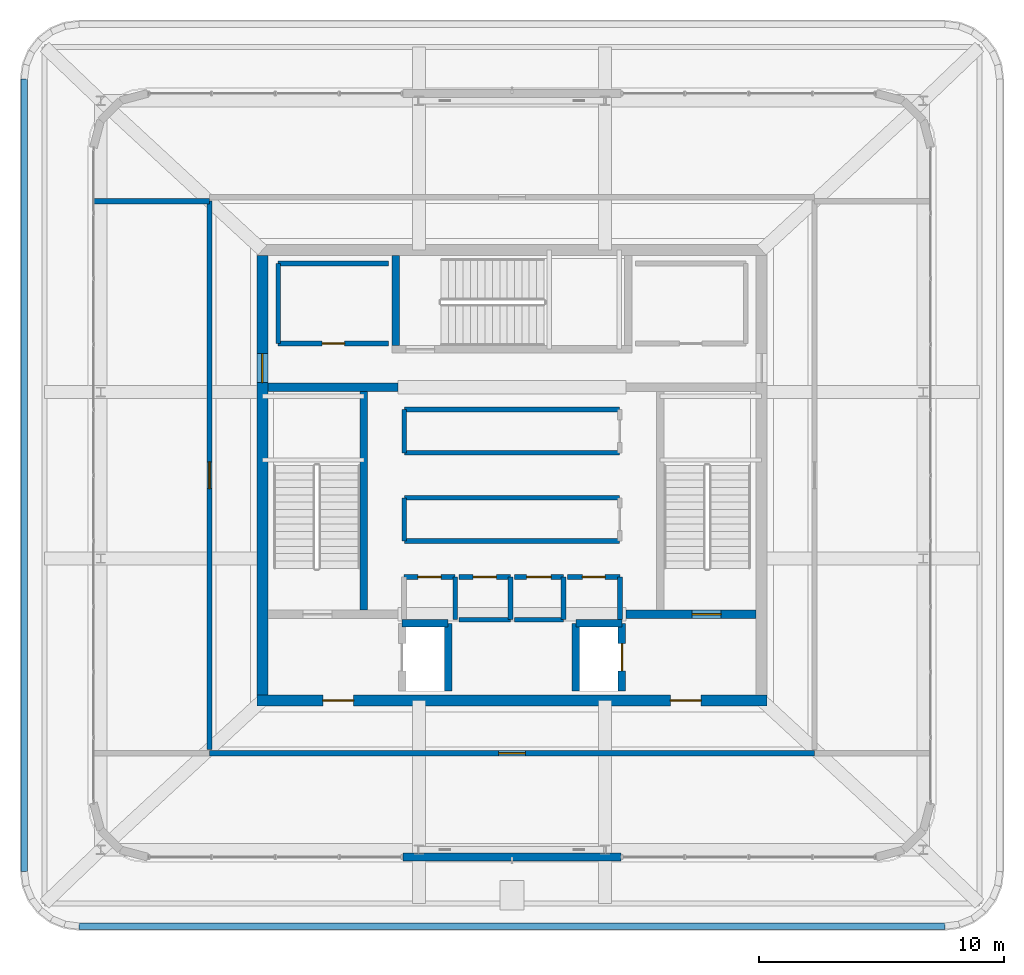
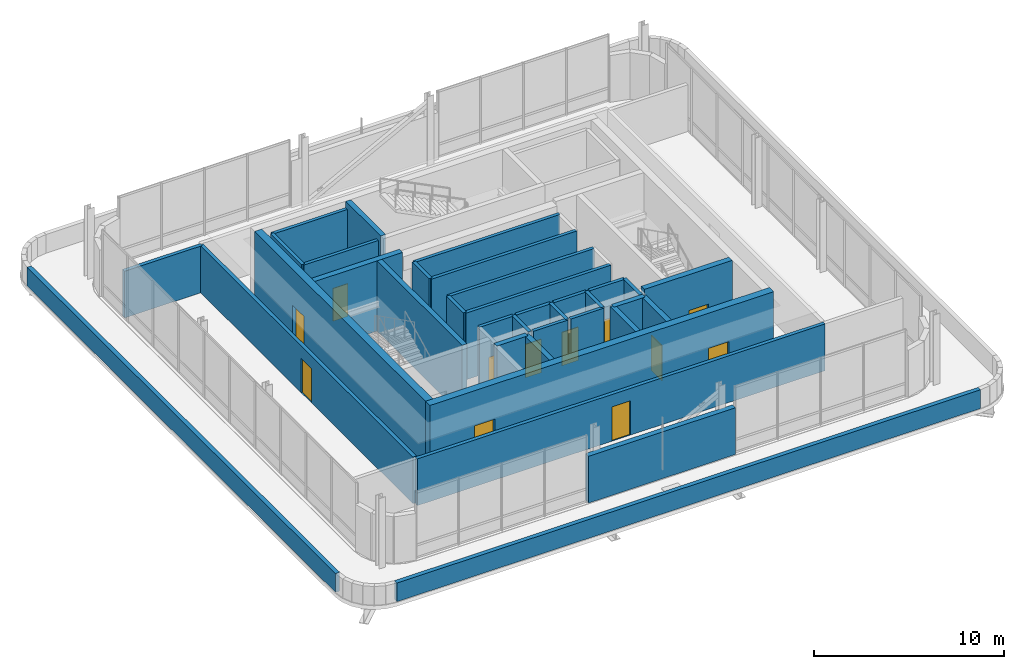
# One storey, part 23 of 28: 36 walls, 12 doors, 12 openings.
"""IFC4 building model written with IfcOpenShell, lengths in metres."""

from ifc_helpers import new_model, si_unit, direction, frame, frame_2d, origin, place, context, subcontext, project, spatial, rectangle, extrude, material, layer, layer_set, type_object, element, fill, save


model = new_model("IFC4")

# Units and contexts
model_context = context("Model", 3, precision=1e-05, world=origin(), true_north=direction((0.0, 1.0)))
body_context = subcontext(model_context, "Body", "Model", "MODEL_VIEW")
ifc_project = project(units=[si_unit("LENGTHUNIT", "METRE"), si_unit("AREAUNIT", "SQUARE_METRE"), si_unit("VOLUMEUNIT", "CUBIC_METRE"), si_unit("PLANEANGLEUNIT", "RADIAN"), si_unit("MASSUNIT", "GRAM", prefix="KILO")], contexts=[model_context])

# Site, building, storey
site_placement = place(None, origin())
site = spatial("IfcSite", under=ifc_project, at=site_placement, CompositionType="ELEMENT")
building_placement = place(site_placement, origin())
building = spatial("IfcBuilding", under=site, at=building_placement, Name="Punatoya Terracotta Tower", CompositionType="ELEMENT")
storey_placement = place(building_placement, frame((0.0, 0.0, 352.800048828125)))
storey = spatial("IfcBuildingStorey", under=building, at=storey_placement, Name="L83", CompositionType="ELEMENT", Elevation=352.800048828125)

# Wall, openings, doors
ifc_material_1 = material(Name="Concrete C50/60", Category="concrete")
ifc_layer_1 = layer(ifc_material_1, 0.449951171875)
ifc_layer_set_1 = layer_set([ifc_layer_1], Name="Concrete C50/60")
wall_type_1 = type_object("IfcWallType", Name="WL-COR-450", PredefinedType="SHEAR", material=ifc_layer_set_1)
wall_1_placement = place(storey_placement, frame((10.425048828125, -9.199951171875, 0.0), z_axis=(0.0, 0.0, 1.0), x_axis=(-1.0, 0.0, 0.0)))
wall_1 = element("IfcWall", 1, at=wall_1_placement, inside=storey, type_object=wall_type_1, Name="L83 Core Shear Wall S", PredefinedType="SHEAR", context=body_context, shape_type="SweptSolid", body=[
    extrude(rectangle(XDim=20.85009765625, YDim=0.449951171875, at=frame_2d((10.425048828125, 0.0))), origin(), (0.0, 0.0, 1.0), 4.5),
])
opening_1_placement = place(wall_1_placement, frame((2.699951171875, 0.0, 0.0)))
opening_1 = element("IfcOpeningElement", 2, at=opening_1_placement, cuts=wall_1, Name="Opening FD-L1", PredefinedType="OPENING", context=body_context, shape_type="SweptSolid", body=[
    extrude(rectangle(XDim=1.25, YDim=2.25, at=frame_2d((0.625, 1.125))), frame((0.0, 0.23486328125, 0.0), z_axis=(0.0, -1.0, 0.0), x_axis=(1.0, 0.0, 0.0)), (0.0, 0.0, 1.0), 0.469970703125),
])
opening_2_placement = place(wall_1_placement, frame((16.89990234375, 0.0, 0.0)))
opening_2 = element("IfcOpeningElement", 3, at=opening_2_placement, cuts=wall_1, Name="Opening FD-L1", PredefinedType="OPENING", context=body_context, shape_type="SweptSolid", body=[
    extrude(rectangle(XDim=1.25, YDim=2.25, at=frame_2d((0.625, 1.125))), frame((0.0, 0.23486328125, 0.0), z_axis=(0.0, -1.0, 0.0), x_axis=(1.0, 0.0, 0.0)), (0.0, 0.0, 1.0), 0.469970703125),
])
ifc_material_2 = material(Name="Galvanised Steel Smokeproof Fire Door", Category="steel")
door_type_1 = type_object("IfcDoorType", Name="DR-FFL-1250", OperationType="NOTDEFINED", PredefinedType="DOOR", material=ifc_material_2)
door_1_placement = place(opening_1_placement, origin())
door_1 = element("IfcDoor", 4, at=door_1_placement, inside=storey, type_object=door_type_1, Name="L83 East Firefighting Lobby Corridor Fire Door", OperationType="SINGLE_SWING_LEFT", OverallHeight=2.25, OverallWidth=1.25, PredefinedType="DOOR", context=body_context, shape_type="SweptSolid", body=[
    extrude(rectangle(XDim=1.25, YDim=2.25, at=frame_2d((0.625, 1.125))), frame((0.0, 0.02490234375, 0.0), z_axis=(0.0, -1.0, 0.0), x_axis=(1.0, 0.0, 0.0)), (0.0, 0.0, 1.0), 0.050048828125),
])
fill(opening_1, door_1)
door_2_placement = place(opening_2_placement, origin())
door_2 = element("IfcDoor", 5, at=door_2_placement, inside=storey, type_object=door_type_1, Name="L83 West Firefighting Lobby Corridor Fire Door", OperationType="SINGLE_SWING_RIGHT", OverallHeight=2.25, OverallWidth=1.25, PredefinedType="DOOR", context=body_context, shape_type="SweptSolid", body=[
    extrude(rectangle(XDim=1.25, YDim=2.25, at=frame_2d((0.625, 1.125))), frame((0.0, 0.02490234375, 0.0), z_axis=(0.0, -1.0, 0.0), x_axis=(1.0, 0.0, 0.0)), (0.0, 0.0, 1.0), 0.050048828125),
])
fill(opening_2, door_2)

# Wall, opening, door
wall_2_placement = place(storey_placement, frame((-10.199951171875, -8.97509765625, 0.0), z_axis=(0.0, 0.0, 1.0), x_axis=(0.0, 1.0, 0.0)))
wall_2 = element("IfcWall", 6, at=wall_2_placement, inside=storey, type_object=wall_type_1, Name="L83 Core Shear Wall W", PredefinedType="SHEAR", context=body_context, shape_type="SweptSolid", body=[
    extrude(rectangle(XDim=17.9501953125, YDim=0.449951171875, at=frame_2d((8.97509765625, 0.0))), origin(), (0.0, 0.0, 1.0), 4.5),
])
opening_3_placement = place(wall_2_placement, frame((12.764892578125, 0.0, 0.0)))
opening_3 = element("IfcOpeningElement", 7, at=opening_3_placement, cuts=wall_2, Name="Opening SD-01", PredefinedType="OPENING", context=body_context, shape_type="SweptSolid", body=[
    extrude(rectangle(XDim=1.179931640625, YDim=2.199951171875, at=frame_2d((0.58984375, 1.10009765625))), frame((0.0, 0.23486328125, 0.0), z_axis=(0.0, -1.0, 0.0), x_axis=(1.0, 0.0, 0.0)), (0.0, 0.0, 1.0), 0.469970703125),
])
ifc_material_3 = material(Name="Galvanised Steel Pressurized Stair Fire Door", Category="steel")
door_type_2 = type_object("IfcDoorType", Name="DR-STR-1180", OperationType="NOTDEFINED", PredefinedType="DOOR", material=ifc_material_3)
door_3_placement = place(opening_3_placement, origin())
door_3 = element("IfcDoor", 8, at=door_3_placement, inside=storey, type_object=door_type_2, Name="L83 Central Lift Lobby West Fire Door", OperationType="SINGLE_SWING_LEFT", OverallHeight=2.199951171875, OverallWidth=1.179931640625, PredefinedType="DOOR", context=body_context, shape_type="SweptSolid", body=[
    extrude(rectangle(XDim=1.179931640625, YDim=2.199951171875, at=frame_2d((0.58984375, 1.10009765625))), frame((0.0, 0.02490234375, 0.0), z_axis=(0.0, -1.0, 0.0), x_axis=(1.0, 0.0, 0.0)), (0.0, 0.0, 1.0), 0.050048828125),
])
fill(opening_3, door_3)

# Wall
ifc_material_4 = material(Name="Precast concrete C40/50", Category="concrete")
ifc_layer_2 = layer(ifc_material_4, 0.320068359375)
ifc_layer_set_2 = layer_set([ifc_layer_2], Name="Precast concrete C40/50")
wall_type_2 = type_object("IfcWallType", Name="WL-EXT-320", PredefinedType="SOLIDWALL", material=ifc_layer_set_2)
wall_3_placement = place(storey_placement, frame((-4.449951171875, -15.60009765625, 0.0), z_axis=(0.0, 0.0, 1.0), x_axis=(1.0, 0.0, 0.0)))
element("IfcWall", 9, at=wall_3_placement, inside=storey, type_object=wall_type_2, Name="L83 Terracotta Braced Facade Wall S1", PredefinedType="SOLIDWALL", context=body_context, shape_type="SweptSolid", body=[
    extrude(rectangle(XDim=8.89990234375, YDim=0.320068359375, at=frame_2d((4.449951171875, 0.0))), origin(), (0.0, 0.0, 1.0), 2.993896484375),
])

# Wall, opening, door
ifc_material_5 = material(Name="Concrete C40/50", Category="concrete")
ifc_layer_3 = layer(ifc_material_5, 0.219970703125)
ifc_layer_set_3 = layer_set([ifc_layer_3], Name="Concrete C40/50")
wall_type_3 = type_object("IfcWallType", Name="WL-FIR-220", PredefinedType="SOLIDWALL", material=ifc_layer_set_3)
wall_4_placement = place(storey_placement, frame((-12.360107421875, -11.360107421875, 0.0), z_axis=(0.0, 0.0, 1.0), x_axis=(1.0, 0.0, 0.0)))
wall_4 = element("IfcWall", 10, at=wall_4_placement, inside=storey, type_object=wall_type_3, Name="L83 Crown South Heat-Rejection and Cooling-Tower Plant Partition 27", PredefinedType="SOLIDWALL", context=body_context, shape_type="SweptSolid", body=[
    extrude(rectangle(XDim=24.72021484375, YDim=0.219970703125, at=frame_2d((12.360107421875, 0.0))), origin(), (0.0, 0.0, 1.0), 2.993896484375),
])
opening_4_placement = place(wall_4_placement, frame((11.81005859375, 0.0, 0.0)))
opening_4 = element("IfcOpeningElement", 11, at=opening_4_placement, cuts=wall_4, Name="Opening FD-P1", PredefinedType="OPENING", context=body_context, shape_type="SweptSolid", body=[
    extrude(rectangle(XDim=1.10009765625, YDim=2.199951171875, at=frame_2d((0.550048828125, 1.10009765625))), frame((0.0, 0.119873046875, 0.0), z_axis=(0.0, -1.0, 0.0), x_axis=(1.0, 0.0, 0.0)), (0.0, 0.0, 1.0), 0.239990234375),
])
ifc_material_6 = material(Name="Galvanised Steel Plant Fire Door", Category="steel")
door_type_3 = type_object("IfcDoorType", Name="DR-PLT-1100", OperationType="NOTDEFINED", PredefinedType="DOOR", material=ifc_material_6)
door_4_placement = place(opening_4_placement, origin())
door_4 = element("IfcDoor", 12, at=door_4_placement, inside=storey, type_object=door_type_3, Name="L83 Crown South Heat-Rejection and Cooling-Tower Plant Fire Door", OperationType="SINGLE_SWING_RIGHT", OverallHeight=2.199951171875, OverallWidth=1.10009765625, PredefinedType="DOOR", context=body_context, shape_type="SweptSolid", body=[
    extrude(rectangle(XDim=1.10009765625, YDim=2.199951171875, at=frame_2d((0.550048828125, 1.10009765625))), frame((0.0, 0.02490234375, 0.0), z_axis=(0.0, -1.0, 0.0), x_axis=(1.0, 0.0, 0.0)), (0.0, 0.0, 1.0), 0.050048828125),
])
fill(opening_4, door_4)

# Wall
wall_5_placement = place(storey_placement, frame((-17.080078125, 11.199951171875, 0.0), z_axis=(0.0, 0.0, 1.0), x_axis=(1.0, 0.0, 0.0)))
element("IfcWall", 13, at=wall_5_placement, inside=storey, type_object=wall_type_3, Name="L83 Crown West Smoke-Extract and Fan Plant Room Partition 29", PredefinedType="SOLIDWALL", context=body_context, shape_type="SweptSolid", body=[
    extrude(rectangle(XDim=4.719970703125, YDim=0.219970703125, at=frame_2d((2.35986328125, 0.0))), origin(), (0.0, 0.0, 1.0), 2.993896484375),
])

# Wall, opening, door
wall_6_placement = place(storey_placement, frame((-12.360107421875, 11.199951171875, 0.0), z_axis=(0.0, 0.0, 1.0), x_axis=(0.0, -1.0, 0.0)))
wall_6 = element("IfcWall", 14, at=wall_6_placement, inside=storey, type_object=wall_type_3, Name="L83 Crown West Smoke-Extract and Fan Plant Room Partition 30", PredefinedType="SOLIDWALL", context=body_context, shape_type="SweptSolid", body=[
    extrude(rectangle(XDim=22.39990234375, YDim=0.219970703125, at=frame_2d((11.199951171875, 0.0))), origin(), (0.0, 0.0, 1.0), 2.993896484375),
])
opening_5_placement = place(wall_6_placement, frame((10.64990234375, 0.0, 0.0)))
opening_5 = element("IfcOpeningElement", 15, at=opening_5_placement, cuts=wall_6, Name="Opening FD-P1", PredefinedType="OPENING", context=body_context, shape_type="SweptSolid", body=[
    extrude(rectangle(XDim=1.10009765625, YDim=2.199951171875, at=frame_2d((0.550048828125, 1.10009765625))), frame((0.0, 0.119873046875, 0.0), z_axis=(0.0, -1.0, 0.0), x_axis=(1.0, 0.0, 0.0)), (0.0, 0.0, 1.0), 0.239990234375),
])
door_5_placement = place(opening_5_placement, origin())
door_5 = element("IfcDoor", 16, at=door_5_placement, inside=storey, type_object=door_type_3, Name="L83 Crown West Smoke-Extract and Fan Plant Room Fire Door", OperationType="SINGLE_SWING_LEFT", OverallHeight=2.199951171875, OverallWidth=1.10009765625, PredefinedType="DOOR", context=body_context, shape_type="SweptSolid", body=[
    extrude(rectangle(XDim=1.10009765625, YDim=2.199951171875, at=frame_2d((0.550048828125, 1.10009765625))), frame((0.0, 0.02490234375, 0.0), z_axis=(0.0, -1.0, 0.0), x_axis=(1.0, 0.0, 0.0)), (0.0, 0.0, 1.0), 0.050048828125),
])
fill(opening_5, door_5)

# Wall
ifc_layer_4 = layer(ifc_material_5, 0.199951171875)
ifc_layer_set_4 = layer_set([ifc_layer_4], Name="Concrete C40/50")
wall_type_4 = type_object("IfcWallType", Name="WL-INT-200", PredefinedType="SOLIDWALL", material=ifc_layer_set_4)
wall_7_placement = place(storey_placement, frame((-2.320068359375, -5.89990234375, 0.0), z_axis=(0.0, 0.0, 1.0), x_axis=(0.0, 1.0, 0.0)))
element("IfcWall", 17, at=wall_7_placement, inside=storey, type_object=wall_type_4, Name="L83 Staff Male Washroom Partition 01", PredefinedType="SOLIDWALL", context=body_context, shape_type="SweptSolid", body=[
    extrude(rectangle(XDim=1.739990234375, YDim=0.199951171875, at=frame_2d((0.8701171875, 0.0))), origin(), (0.0, 0.0, 1.0), 4.280029296875),
])

# Wall, opening, door
wall_8_placement = place(storey_placement, frame((-2.320068359375, -4.159912109375, 0.0), z_axis=(0.0, 0.0, 1.0), x_axis=(-1.0, 0.0, 0.0)))
wall_8 = element("IfcWall", 18, at=wall_8_placement, inside=storey, type_object=wall_type_4, Name="L83 Staff Male Washroom Partition 02", PredefinedType="SOLIDWALL", context=body_context, shape_type="SweptSolid", body=[
    extrude(rectangle(XDim=2.099853515625, YDim=0.199951171875, at=frame_2d((1.0498046875, 0.0))), origin(), (0.0, 0.0, 1.0), 4.280029296875),
])
opening_6_placement = place(wall_8_placement, frame((0.574951171875, 0.0, 0.0)))
opening_6 = element("IfcOpeningElement", 19, at=opening_6_placement, cuts=wall_8, Name="Opening WD-01", PredefinedType="OPENING", context=body_context, shape_type="SweptSolid", body=[
    extrude(rectangle(XDim=0.949951171875, YDim=2.14990234375, at=frame_2d((0.47509765625, 1.074951171875))), frame((0.0, 0.10986328125, 0.0), z_axis=(0.0, -1.0, 0.0), x_axis=(1.0, 0.0, 0.0)), (0.0, 0.0, 1.0), 0.219970703125),
])
ifc_material_7 = material(Name="Moisture-Resistant Laminate Timber Leaf", Category="wood")
door_type_4 = type_object("IfcDoorType", Name="DR-WC-950", OperationType="NOTDEFINED", PredefinedType="DOOR", material=ifc_material_7)
door_6_placement = place(opening_6_placement, origin())
door_6 = element("IfcDoor", 20, at=door_6_placement, inside=storey, type_object=door_type_4, Name="L83 Staff Male Washroom Door", OperationType="SINGLE_SWING_RIGHT", OverallHeight=2.14990234375, OverallWidth=0.949951171875, PredefinedType="DOOR", context=body_context, shape_type="SweptSolid", body=[
    extrude(rectangle(XDim=0.949951171875, YDim=2.14990234375, at=frame_2d((0.47509765625, 1.074951171875))), frame((0.0, 0.02490234375, 0.0), z_axis=(0.0, -1.0, 0.0), x_axis=(1.0, 0.0, 0.0)), (0.0, 0.0, 1.0), 0.050048828125),
])
fill(opening_6, door_6)

# Wall
wall_9_placement = place(storey_placement, frame((-0.06005859375, -5.89990234375, 0.0), z_axis=(0.0, 0.0, 1.0), x_axis=(0.0, 1.0, 0.0)))
element("IfcWall", 21, at=wall_9_placement, inside=storey, type_object=wall_type_4, Name="L83 Staff Female Washroom Partition 04", PredefinedType="SOLIDWALL", context=body_context, shape_type="SweptSolid", body=[
    extrude(rectangle(XDim=1.739990234375, YDim=0.199951171875, at=frame_2d((0.8701171875, 0.0))), origin(), (0.0, 0.0, 1.0), 4.280029296875),
])

# Wall, opening, door
wall_10_placement = place(storey_placement, frame((-0.06005859375, -4.159912109375, 0.0), z_axis=(0.0, 0.0, 1.0), x_axis=(-1.0, 0.0, 0.0)))
wall_10 = element("IfcWall", 22, at=wall_10_placement, inside=storey, type_object=wall_type_4, Name="L83 Staff Female Washroom Partition 05", PredefinedType="SOLIDWALL", context=body_context, shape_type="SweptSolid", body=[
    extrude(rectangle(XDim=2.099853515625, YDim=0.199951171875, at=frame_2d((1.0498046875, 0.0))), origin(), (0.0, 0.0, 1.0), 4.280029296875),
])
opening_7_placement = place(wall_10_placement, frame((0.574951171875, 0.0, 0.0)))
opening_7 = element("IfcOpeningElement", 23, at=opening_7_placement, cuts=wall_10, Name="Opening WD-01", PredefinedType="OPENING", context=body_context, shape_type="SweptSolid", body=[
    extrude(rectangle(XDim=0.949951171875, YDim=2.14990234375, at=frame_2d((0.47509765625, 1.074951171875))), frame((0.0, 0.10986328125, 0.0), z_axis=(0.0, -1.0, 0.0), x_axis=(1.0, 0.0, 0.0)), (0.0, 0.0, 1.0), 0.219970703125),
])
door_7_placement = place(opening_7_placement, origin())
door_7 = element("IfcDoor", 24, at=door_7_placement, inside=storey, type_object=door_type_4, Name="L83 Staff Female Washroom Door", OperationType="SINGLE_SWING_LEFT", OverallHeight=2.14990234375, OverallWidth=0.949951171875, PredefinedType="DOOR", context=body_context, shape_type="SweptSolid", body=[
    extrude(rectangle(XDim=0.949951171875, YDim=2.14990234375, at=frame_2d((0.47509765625, 1.074951171875))), frame((0.0, 0.02490234375, 0.0), z_axis=(0.0, -1.0, 0.0), x_axis=(1.0, 0.0, 0.0)), (0.0, 0.0, 1.0), 0.050048828125),
])
fill(opening_7, door_7)

# Walls
wall_11_placement = place(storey_placement, frame((-2.159912109375, -5.89990234375, 0.0), z_axis=(0.0, 0.0, 1.0), x_axis=(1.0, 0.0, 0.0)))
element("IfcWall", 25, at=wall_11_placement, inside=storey, type_object=wall_type_4, Name="L83 Staff Female Washroom Partition 06", PredefinedType="SOLIDWALL", context=body_context, shape_type="SweptSolid", body=[
    extrude(rectangle(XDim=2.099853515625, YDim=0.199951171875, at=frame_2d((1.0498046875, 0.0))), origin(), (0.0, 0.0, 1.0), 4.280029296875),
])
wall_12_placement = place(storey_placement, frame((2.10009765625, -5.89990234375, 0.0), z_axis=(0.0, 0.0, 1.0), x_axis=(0.0, 1.0, 0.0)))
element("IfcWall", 26, at=wall_12_placement, inside=storey, type_object=wall_type_4, Name="L83 Accessible Universal Washroom Partition 07", PredefinedType="SOLIDWALL", context=body_context, shape_type="SweptSolid", body=[
    extrude(rectangle(XDim=1.739990234375, YDim=0.199951171875, at=frame_2d((0.8701171875, 0.0))), origin(), (0.0, 0.0, 1.0), 4.280029296875),
])

# Wall, opening, door
wall_13_placement = place(storey_placement, frame((2.10009765625, -4.159912109375, 0.0), z_axis=(0.0, 0.0, 1.0), x_axis=(-1.0, 0.0, 0.0)))
wall_13 = element("IfcWall", 27, at=wall_13_placement, inside=storey, type_object=wall_type_4, Name="L83 Accessible Universal Washroom Partition 08", PredefinedType="SOLIDWALL", context=body_context, shape_type="SweptSolid", body=[
    extrude(rectangle(XDim=2.0, YDim=0.199951171875, at=frame_2d((1.0, 0.0))), origin(), (0.0, 0.0, 1.0), 4.280029296875),
])
opening_8_placement = place(wall_13_placement, frame((0.5, 0.0, 0.0)))
opening_8 = element("IfcOpeningElement", 28, at=opening_8_placement, cuts=wall_13, Name="Opening AWD-1", PredefinedType="OPENING", context=body_context, shape_type="SweptSolid", body=[
    extrude(rectangle(XDim=1.0, YDim=2.14990234375, at=frame_2d((0.5, 1.074951171875))), frame((0.0, 0.10986328125, 0.0), z_axis=(0.0, -1.0, 0.0), x_axis=(1.0, 0.0, 0.0)), (0.0, 0.0, 1.0), 0.219970703125),
])
ifc_material_8 = material(Name="Bengal Teak Accessible WC Leaf")
door_type_5 = type_object("IfcDoorType", Name="DR-ACC-1000", OperationType="NOTDEFINED", PredefinedType="DOOR", material=ifc_material_8)
door_8_placement = place(opening_8_placement, origin())
door_8 = element("IfcDoor", 29, at=door_8_placement, inside=storey, type_object=door_type_5, Name="L83 Accessible Universal Washroom Door", OperationType="SINGLE_SWING_RIGHT", OverallHeight=2.14990234375, OverallWidth=1.0, PredefinedType="DOOR", context=body_context, shape_type="SweptSolid", body=[
    extrude(rectangle(XDim=1.0, YDim=2.14990234375, at=frame_2d((0.5, 1.074951171875))), frame((0.0, 0.02490234375, 0.0), z_axis=(0.0, -1.0, 0.0), x_axis=(1.0, 0.0, 0.0)), (0.0, 0.0, 1.0), 0.050048828125),
])
fill(opening_8, door_8)

# Walls
wall_14_placement = place(storey_placement, frame((0.10009765625, -5.89990234375, 0.0), z_axis=(0.0, 0.0, 1.0), x_axis=(1.0, 0.0, 0.0)))
element("IfcWall", 30, at=wall_14_placement, inside=storey, type_object=wall_type_4, Name="L83 Accessible Universal Washroom Partition 09", PredefinedType="SOLIDWALL", context=body_context, shape_type="SweptSolid", body=[
    extrude(rectangle(XDim=2.0, YDim=0.199951171875, at=frame_2d((1.0, 0.0))), origin(), (0.0, 0.0, 1.0), 4.280029296875),
])
wall_15_placement = place(storey_placement, frame((4.419921875, -5.89990234375, 0.0), z_axis=(0.0, 0.0, 1.0), x_axis=(0.0, 1.0, 0.0)))
element("IfcWall", 31, at=wall_15_placement, inside=storey, type_object=wall_type_4, Name="L83 Core Electrical Switchgear Room Partition 10", PredefinedType="SOLIDWALL", context=body_context, shape_type="SweptSolid", body=[
    extrude(rectangle(XDim=1.739990234375, YDim=0.199951171875, at=frame_2d((0.8701171875, 0.0))), origin(), (0.0, 0.0, 1.0), 4.280029296875),
])

# Wall, opening, door
wall_16_placement = place(storey_placement, frame((4.419921875, -4.159912109375, 0.0), z_axis=(0.0, 0.0, 1.0), x_axis=(-1.0, 0.0, 0.0)))
wall_16 = element("IfcWall", 32, at=wall_16_placement, inside=storey, type_object=wall_type_4, Name="L83 Core Electrical Switchgear Room Partition 11", PredefinedType="SOLIDWALL", context=body_context, shape_type="SweptSolid", body=[
    extrude(rectangle(XDim=2.159912109375, YDim=0.199951171875, at=frame_2d((1.080078125, 0.0))), origin(), (0.0, 0.0, 1.0), 4.280029296875),
])
opening_9_placement = place(wall_16_placement, frame((0.6201171875, 0.0, 0.0)))
opening_9 = element("IfcOpeningElement", 33, at=opening_9_placement, cuts=wall_16, Name="Opening FD-R1", PredefinedType="OPENING", context=body_context, shape_type="SweptSolid", body=[
    extrude(rectangle(XDim=0.919921875, YDim=2.10009765625, at=frame_2d((0.4599609375, 1.050048828125))), frame((0.0, 0.10986328125, 0.0), z_axis=(0.0, -1.0, 0.0), x_axis=(1.0, 0.0, 0.0)), (0.0, 0.0, 1.0), 0.219970703125),
])
ifc_material_9 = material(Name="Galvanised Steel Riser Fire Access Door", Category="steel")
door_type_6 = type_object("IfcDoorType", Name="DR-RSR-920", OperationType="NOTDEFINED", PredefinedType="DOOR", material=ifc_material_9)
door_9_placement = place(opening_9_placement, origin())
door_9 = element("IfcDoor", 34, at=door_9_placement, inside=storey, type_object=door_type_6, Name="L83 Core Electrical Switchgear Room Fire Door", OperationType="SINGLE_SWING_LEFT", OverallHeight=2.10009765625, OverallWidth=0.919921875, PredefinedType="DOOR", context=body_context, shape_type="SweptSolid", body=[
    extrude(rectangle(XDim=0.919921875, YDim=2.10009765625, at=frame_2d((0.4599609375, 1.050048828125))), frame((0.0, 0.02490234375, 0.0), z_axis=(0.0, -1.0, 0.0), x_axis=(1.0, 0.0, 0.0)), (0.0, 0.0, 1.0), 0.050048828125),
])
fill(opening_9, door_9)

# Walls
wall_17_placement = place(storey_placement, frame((4.39990234375, -0.919921875, 0.0), z_axis=(0.0, 0.0, 1.0), x_axis=(-1.0, 0.0, 0.0)))
element("IfcWall", 35, at=wall_17_placement, inside=storey, type_object=wall_type_4, Name="L83 Crown Emergency Power Switchroom Partition 13", PredefinedType="SOLIDWALL", context=body_context, shape_type="SweptSolid", body=[
    extrude(rectangle(XDim=8.7998046875, YDim=0.199951171875, at=frame_2d((4.39990234375, 0.0))), origin(), (0.0, 0.0, 1.0), 4.280029296875),
])
wall_18_placement = place(storey_placement, frame((-4.39990234375, -0.919921875, 0.0), z_axis=(0.0, 0.0, 1.0), x_axis=(0.0, -1.0, 0.0)))
element("IfcWall", 36, at=wall_18_placement, inside=storey, type_object=wall_type_4, Name="L83 Crown Emergency Power Switchroom Partition 14", PredefinedType="SOLIDWALL", context=body_context, shape_type="SweptSolid", body=[
    extrude(rectangle(XDim=1.760009765625, YDim=0.199951171875, at=frame_2d((0.8798828125, 0.0))), origin(), (0.0, 0.0, 1.0), 4.280029296875),
])
for number, where, z_axis, x_axis, name in (
    (37, (-4.39990234375, -2.679931640625, 0.0), (0.0, 0.0, 1.0), (1.0, 0.0, 0.0), "L83 Crown Emergency Power Switchroom Partition 15"),
    (38, (4.39990234375, 2.679931640625, 0.0), (0.0, 0.0, 1.0), (-1.0, 0.0, 0.0), "L83 Crown Stair Pressurization Fan Room Partition 17"),
):
    element("IfcWall", number, at=place(storey_placement, frame(where, z_axis=z_axis, x_axis=x_axis)), inside=storey, type_object=wall_type_4, Name=name, PredefinedType="SOLIDWALL", context=body_context, shape_type="SweptSolid", body=[
        extrude(rectangle(XDim=8.7998046875, YDim=0.199951171875, at=frame_2d((4.39990234375, 0.0))), origin(), (0.0, 0.0, 1.0), 4.280029296875),
    ])
wall_19_placement = place(storey_placement, frame((-4.39990234375, 2.679931640625, 0.0), z_axis=(0.0, 0.0, 1.0), x_axis=(0.0, -1.0, 0.0)))
element("IfcWall", 39, at=wall_19_placement, inside=storey, type_object=wall_type_4, Name="L83 Crown Stair Pressurization Fan Room Partition 18", PredefinedType="SOLIDWALL", context=body_context, shape_type="SweptSolid", body=[
    extrude(rectangle(XDim=1.760009765625, YDim=0.199951171875, at=frame_2d((0.8798828125, 0.0))), origin(), (0.0, 0.0, 1.0), 4.280029296875),
])
wall_20_placement = place(storey_placement, frame((-4.39990234375, 0.919921875, 0.0), z_axis=(0.0, 0.0, 1.0), x_axis=(1.0, 0.0, 0.0)))
element("IfcWall", 40, at=wall_20_placement, inside=storey, type_object=wall_type_4, Name="L83 Crown Stair Pressurization Fan Room Partition 19", PredefinedType="SOLIDWALL", context=body_context, shape_type="SweptSolid", body=[
    extrude(rectangle(XDim=8.7998046875, YDim=0.199951171875, at=frame_2d((4.39990234375, 0.0))), origin(), (0.0, 0.0, 1.0), 4.280029296875),
])
wall_21_placement = place(storey_placement, frame((-5.050048828125, 8.64990234375, 0.0), z_axis=(0.0, 0.0, 1.0), x_axis=(-1.0, 0.0, 0.0)))
element("IfcWall", 41, at=wall_21_placement, inside=storey, type_object=wall_type_4, Name="L83 West Duct Riser Partition 20", PredefinedType="SOLIDWALL", context=body_context, shape_type="SweptSolid", body=[
    extrude(rectangle(XDim=4.5, YDim=0.199951171875, at=frame_2d((2.25, 0.0))), origin(), (0.0, 0.0, 1.0), 4.280029296875),
])
wall_22_placement = place(storey_placement, frame((-9.550048828125, 8.64990234375, 0.0), z_axis=(0.0, 0.0, 1.0), x_axis=(0.0, -1.0, 0.0)))
element("IfcWall", 42, at=wall_22_placement, inside=storey, type_object=wall_type_4, Name="L83 West Duct Riser Partition 21", PredefinedType="SOLIDWALL", context=body_context, shape_type="SweptSolid", body=[
    extrude(rectangle(XDim=3.27001953125, YDim=0.199951171875, at=frame_2d((1.635009765625, 0.0))), origin(), (0.0, 0.0, 1.0), 4.280029296875),
])

# Wall, opening, door
wall_23_placement = place(storey_placement, frame((-9.550048828125, 5.3798828125, 0.0), z_axis=(0.0, 0.0, 1.0), x_axis=(1.0, 0.0, 0.0)))
wall_23 = element("IfcWall", 43, at=wall_23_placement, inside=storey, type_object=wall_type_4, Name="L83 West Duct Riser Partition 22", PredefinedType="SOLIDWALL", context=body_context, shape_type="SweptSolid", body=[
    extrude(rectangle(XDim=4.5, YDim=0.199951171875, at=frame_2d((2.25, 0.0))), origin(), (0.0, 0.0, 1.0), 4.280029296875),
])
opening_10_placement = place(wall_23_placement, frame((1.7900390625, 0.0, 0.0)))
opening_10 = element("IfcOpeningElement", 44, at=opening_10_placement, cuts=wall_23, Name="Opening FD-R1", PredefinedType="OPENING", context=body_context, shape_type="SweptSolid", body=[
    extrude(rectangle(XDim=0.919921875, YDim=2.10009765625, at=frame_2d((0.4599609375, 1.050048828125))), frame((0.0, 0.10986328125, 0.0), z_axis=(0.0, -1.0, 0.0), x_axis=(1.0, 0.0, 0.0)), (0.0, 0.0, 1.0), 0.219970703125),
])
door_10_placement = place(opening_10_placement, origin())
door_10 = element("IfcDoor", 45, at=door_10_placement, inside=storey, type_object=door_type_6, Name="L83 West Duct Riser Fire Door", OperationType="SINGLE_SWING_RIGHT", OverallHeight=2.10009765625, OverallWidth=0.919921875, PredefinedType="DOOR", context=body_context, shape_type="SweptSolid", body=[
    extrude(rectangle(XDim=0.919921875, YDim=2.10009765625, at=frame_2d((0.4599609375, 1.050048828125))), frame((0.0, 0.02490234375, 0.0), z_axis=(0.0, -1.0, 0.0), x_axis=(1.0, 0.0, 0.0)), (0.0, 0.0, 1.0), 0.050048828125),
])
fill(opening_10, door_10)

# Walls
ifc_layer_5 = layer(ifc_material_4, 0.260009765625)
ifc_layer_set_5 = layer_set([ifc_layer_5], Name="Precast concrete C40/50")
wall_type_5 = type_object("IfcWallType", Name="WL-PAR-260", PredefinedType="PARAPET", material=ifc_layer_set_5)
wall_24_placement = place(storey_placement, frame((-19.919921875, 16.188232421875, 0.0), z_axis=(0.0, 0.0, 1.0), x_axis=(0.0, -1.0, 0.0)))
element("IfcWall", 46, at=wall_24_placement, inside=storey, type_object=wall_type_5, Name="L83 Roof Parapet Wall PAR-L83-STEP-21", PredefinedType="PARAPET", context=body_context, shape_type="SweptSolid", body=[
    extrude(rectangle(XDim=32.37646484375, YDim=0.260009765625, at=frame_2d((16.188232421875, 0.0))), origin(), (0.0, 0.0, 1.0), 1.199951171875),
])
wall_25_placement = place(storey_placement, frame((-17.688232421875, -18.419921875, 0.0), z_axis=(0.0, 0.0, 1.0), x_axis=(1.0, 0.0, 0.0)))
element("IfcWall", 47, at=wall_25_placement, inside=storey, type_object=wall_type_5, Name="L83 Roof Parapet Wall PAR-L83-STEP-28", PredefinedType="PARAPET", context=body_context, shape_type="SweptSolid", body=[
    extrude(rectangle(XDim=35.37646484375, YDim=0.260009765625, at=frame_2d((17.688232421875, 0.0))), origin(), (0.0, 0.0, 1.0), 1.199951171875),
])
ifc_layer_6 = layer(ifc_material_5, 0.300048828125)
ifc_layer_set_6 = layer_set([ifc_layer_6], Name="Concrete C40/50")
wall_type_6 = type_object("IfcWallType", Name="WL-SHF-300", PredefinedType="SOLIDWALL", material=ifc_layer_set_6)
wall_26_placement = place(storey_placement, frame((-6.050048828125, -5.5, 0.0), z_axis=(0.0, 0.0, 1.0), x_axis=(0.0, 1.0, 0.0)))
element("IfcWall", 48, at=wall_26_placement, inside=storey, type_object=wall_type_6, Name="L83 Structural Stair Shaft Wall SW-ST1-E", PredefinedType="SOLIDWALL", context=body_context, shape_type="SweptSolid", body=[
    extrude(rectangle(XDim=8.949951171875, YDim=0.300048828125, at=frame_2d((4.47509765625, 0.0))), origin(), (0.0, 0.0, 1.0), 4.5),
])
wall_27_placement = place(storey_placement, frame((-4.75, 5.300048828125, 0.0), z_axis=(0.0, 0.0, 1.0), x_axis=(0.0, 1.0, 0.0)))
element("IfcWall", 49, at=wall_27_placement, inside=storey, type_object=wall_type_6, Name="L83 Structural Stair Shaft Wall SW-ST3-W", PredefinedType="SOLIDWALL", context=body_context, shape_type="SweptSolid", body=[
    extrude(rectangle(XDim=3.675048828125, YDim=0.300048828125, at=frame_2d((1.83740234375, 0.0))), origin(), (0.0, 0.0, 1.0), 4.5),
])
wall_28_placement = place(storey_placement, frame((-2.610107421875, -8.820068359375, 0.0), z_axis=(0.0, 0.0, 1.0), x_axis=(0.0, 1.0, 0.0)))
element("IfcWall", 50, at=wall_28_placement, inside=storey, type_object=wall_type_6, Name="L83 FFL-1 Rear Hoistway Wall", PredefinedType="SOLIDWALL", context=body_context, shape_type="SweptSolid", body=[
    extrude(rectangle(XDim=2.77001953125, YDim=0.300048828125, at=frame_2d((1.385009765625, 0.0))), origin(), (0.0, 0.0, 1.0), 4.280029296875),
])
wall_29_placement = place(storey_placement, frame((-4.489990234375, -6.050048828125, 0.0), z_axis=(0.0, 0.0, 1.0), x_axis=(1.0, 0.0, 0.0)))
element("IfcWall", 51, at=wall_29_placement, inside=storey, type_object=wall_type_6, Name="L83 FFL-1 North Hoistway Wall", PredefinedType="SOLIDWALL", context=body_context, shape_type="SweptSolid", body=[
    extrude(rectangle(XDim=1.8798828125, YDim=0.300048828125, at=frame_2d((0.93994140625, 0.0))), origin(), (0.0, 0.0, 1.0), 4.280029296875),
])

# Wall, opening, door
wall_30_placement = place(storey_placement, frame((4.489990234375, -8.820068359375, 0.0), z_axis=(0.0, 0.0, 1.0), x_axis=(0.0, 1.0, 0.0)))
wall_30 = element("IfcWall", 52, at=wall_30_placement, inside=storey, type_object=wall_type_6, Name="L83 FFL-2 Front Hoistway Wall", PredefinedType="SOLIDWALL", context=body_context, shape_type="SweptSolid", body=[
    extrude(rectangle(XDim=2.77001953125, YDim=0.300048828125, at=frame_2d((1.385009765625, 0.0))), origin(), (0.0, 0.0, 1.0), 4.280029296875),
])
opening_11_placement = place(wall_30_placement, frame((0.824951171875, 0.0, 0.0)))
opening_11 = element("IfcOpeningElement", 53, at=opening_11_placement, cuts=wall_30, Name="Opening LD-02", PredefinedType="OPENING", context=body_context, shape_type="SweptSolid", body=[
    extrude(rectangle(XDim=1.1201171875, YDim=2.25, at=frame_2d((0.56005859375, 1.125))), frame((0.0, 0.159912109375, 0.0), z_axis=(0.0, -1.0, 0.0), x_axis=(1.0, 0.0, 0.0)), (0.0, 0.0, 1.0), 0.320068359375),
])
ifc_material_10 = material(Name="Stainless Steel Lift Landing Door", Category="steel")
door_type_7 = type_object("IfcDoorType", Name="DR-LND-1120", OperationType="NOTDEFINED", PredefinedType="DOOR", material=ifc_material_10)
door_11_placement = place(opening_11_placement, origin())
door_11 = element("IfcDoor", 54, at=door_11_placement, inside=storey, type_object=door_type_7, Name="L83 Firefighting Lift FFL-2 Sliding Landing Door", OperationType="SLIDING_TO_RIGHT", OverallHeight=2.25, OverallWidth=1.1201171875, PredefinedType="DOOR", context=body_context, shape_type="SweptSolid", body=[
    extrude(rectangle(XDim=1.1201171875, YDim=2.25, at=frame_2d((0.56005859375, 1.125))), frame((0.0, 0.02490234375, 0.0), z_axis=(0.0, -1.0, 0.0), x_axis=(1.0, 0.0, 0.0)), (0.0, 0.0, 1.0), 0.050048828125),
])
fill(opening_11, door_11)

# Walls
wall_31_placement = place(storey_placement, frame((2.610107421875, -8.820068359375, 0.0), z_axis=(0.0, 0.0, 1.0), x_axis=(0.0, 1.0, 0.0)))
element("IfcWall", 55, at=wall_31_placement, inside=storey, type_object=wall_type_6, Name="L83 FFL-2 Rear Hoistway Wall", PredefinedType="SOLIDWALL", context=body_context, shape_type="SweptSolid", body=[
    extrude(rectangle(XDim=2.77001953125, YDim=0.300048828125, at=frame_2d((1.385009765625, 0.0))), origin(), (0.0, 0.0, 1.0), 4.280029296875),
])
wall_32_placement = place(storey_placement, frame((2.610107421875, -6.050048828125, 0.0), z_axis=(0.0, 0.0, 1.0), x_axis=(1.0, 0.0, 0.0)))
element("IfcWall", 56, at=wall_32_placement, inside=storey, type_object=wall_type_6, Name="L83 FFL-2 North Hoistway Wall", PredefinedType="SOLIDWALL", context=body_context, shape_type="SweptSolid", body=[
    extrude(rectangle(XDim=1.8798828125, YDim=0.300048828125, at=frame_2d((0.93994140625, 0.0))), origin(), (0.0, 0.0, 1.0), 4.280029296875),
])

# Wall, opening, door
ifc_layer_7 = layer(ifc_material_1, 0.35009765625)
ifc_layer_set_7 = layer_set([ifc_layer_7], Name="Concrete C50/60")
wall_type_7 = type_object("IfcWallType", Name="WL-SHF-350", PredefinedType="SOLIDWALL", material=ifc_layer_set_7)
wall_33_placement = place(storey_placement, frame((4.64990234375, -5.679931640625, 0.0), z_axis=(0.0, 0.0, 1.0), x_axis=(1.0, 0.0, 0.0)))
wall_33 = element("IfcWall", 57, at=wall_33_placement, inside=storey, type_object=wall_type_7, Name="L83 Core Web Wall CSW-R", PredefinedType="SOLIDWALL", context=body_context, shape_type="SweptSolid", body=[
    extrude(rectangle(XDim=5.3251953125, YDim=0.35009765625, at=frame_2d((2.66259765625, 0.0))), origin(), (0.0, 0.0, 1.0), 4.5),
])
opening_12_placement = place(wall_33_placement, frame((2.7099609375, 0.0, 0.0)))
opening_12 = element("IfcOpeningElement", 58, at=opening_12_placement, cuts=wall_33, Name="Opening SD-01", PredefinedType="OPENING", context=body_context, shape_type="SweptSolid", body=[
    extrude(rectangle(XDim=1.179931640625, YDim=2.199951171875, at=frame_2d((0.58984375, 1.10009765625))), frame((0.0, 0.18505859375, 0.0), z_axis=(0.0, -1.0, 0.0), x_axis=(1.0, 0.0, 0.0)), (0.0, 0.0, 1.0), 0.3701171875),
])
door_12_placement = place(opening_12_placement, origin())
door_12 = element("IfcDoor", 59, at=door_12_placement, inside=storey, type_object=door_type_2, Name="L83 Stair ST-2 Smokeproof Lobby Fire Door", OperationType="SINGLE_SWING_RIGHT", OverallHeight=2.199951171875, OverallWidth=1.179931640625, PredefinedType="DOOR", context=body_context, shape_type="SweptSolid", body=[
    extrude(rectangle(XDim=1.179931640625, YDim=2.199951171875, at=frame_2d((0.58984375, 1.10009765625))), frame((0.0, 0.02490234375, 0.0), z_axis=(0.0, -1.0, 0.0), x_axis=(1.0, 0.0, 0.0)), (0.0, 0.0, 1.0), 0.050048828125),
])
fill(opening_12, door_12)

# Wall
wall_34_placement = place(storey_placement, frame((-9.97509765625, 3.60009765625, 0.0), z_axis=(0.0, 0.0, 1.0), x_axis=(1.0, 0.0, 0.0)))
element("IfcWall", 60, at=wall_34_placement, inside=storey, type_object=wall_type_7, Name="L83 Core Web Wall CNW-L", PredefinedType="SOLIDWALL", context=body_context, shape_type="SweptSolid", body=[
    extrude(rectangle(XDim=5.3251953125, YDim=0.35009765625, at=frame_2d((2.66259765625, 0.0))), origin(), (0.0, 0.0, 1.0), 4.5),
])

save(model, "model.ifc")
